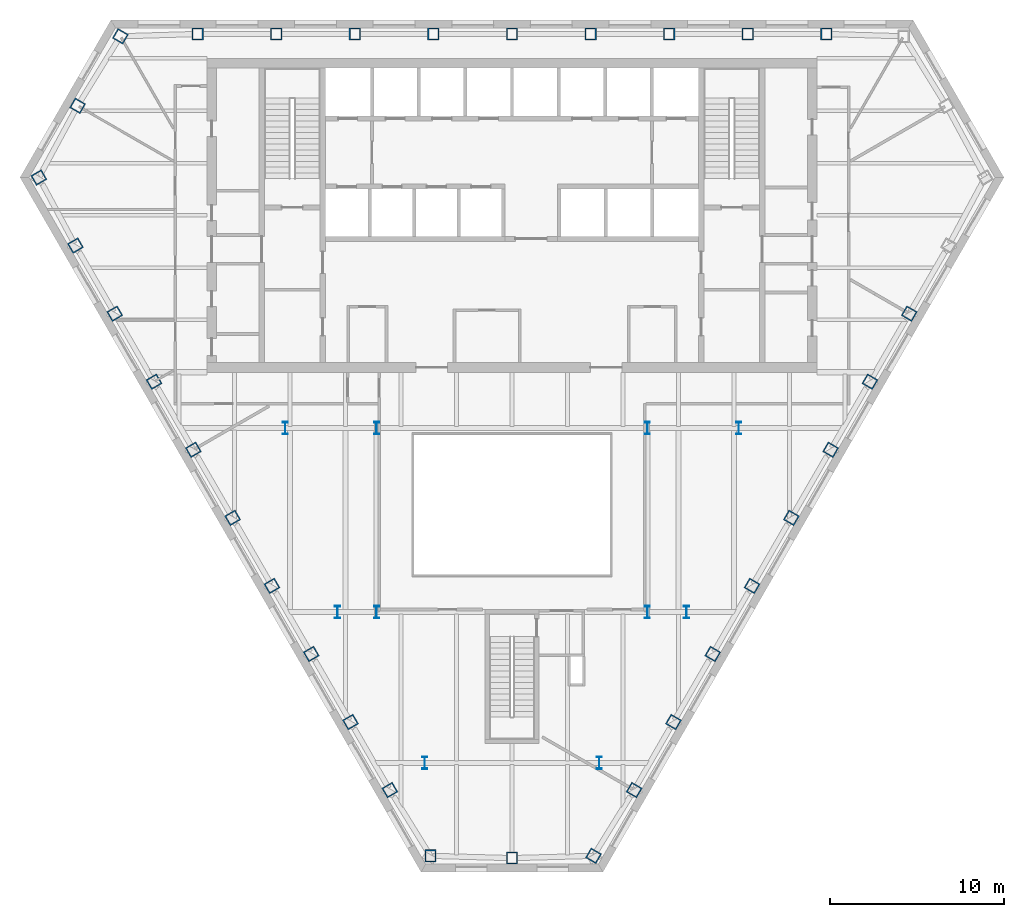
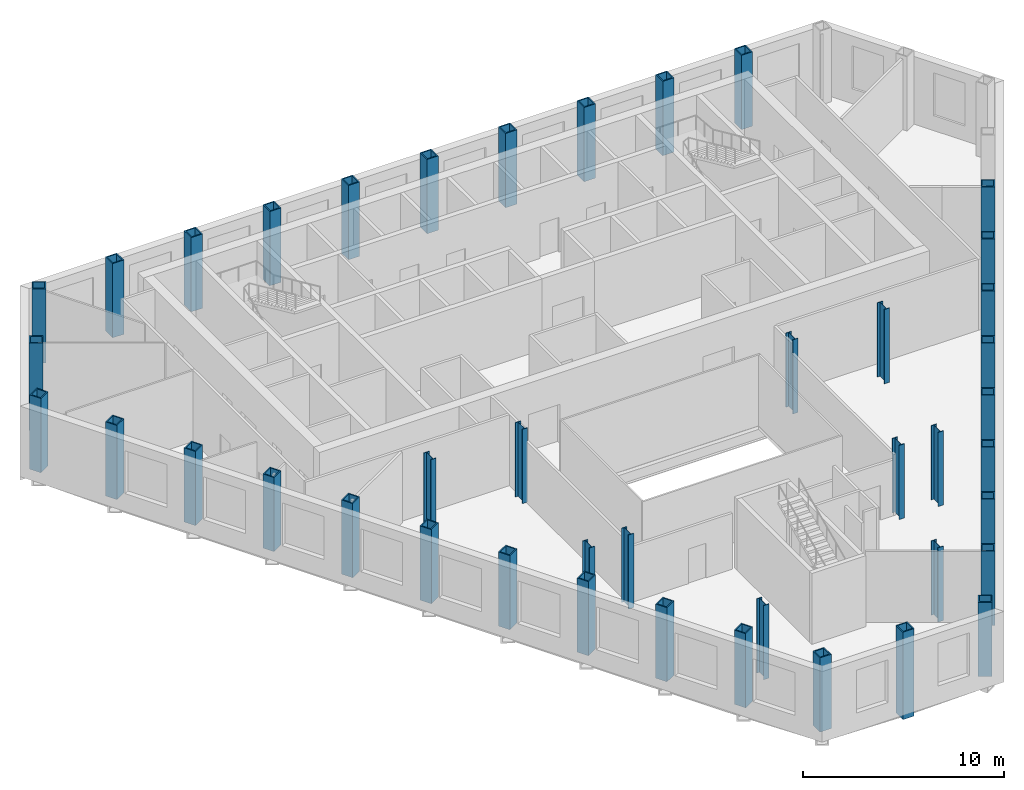
# One storey, part 1 of 11: 42 columns.
"""IFC4 building model written with IfcOpenShell, lengths in metres."""

from ifc_helpers import new_model, si_unit, direction, frame, origin, origin_2d, place, context, subcontext, project, spatial, hollow_rectangle, i_section, extrude, material, material_profile, profile_set, type_object, element, save


model = new_model("IFC4")

# Units and contexts
model_context = context("Model", 3, precision=1e-05, world=origin(), true_north=direction((0.0, 1.0)))
body_context = subcontext(model_context, "Body", "Model", "MODEL_VIEW")
ifc_project = project(units=[si_unit("LENGTHUNIT", "METRE"), si_unit("AREAUNIT", "SQUARE_METRE"), si_unit("VOLUMEUNIT", "CUBIC_METRE"), si_unit("PLANEANGLEUNIT", "RADIAN"), si_unit("MASSUNIT", "GRAM", prefix="KILO")], contexts=[model_context])

# Site, building, storey
site_placement = place(None, origin())
site = spatial("IfcSite", under=ifc_project, at=site_placement, CompositionType="ELEMENT")
building_placement = place(site_placement, origin())
building = spatial("IfcBuilding", under=site, at=building_placement, Name="Njiva Tower", CompositionType="ELEMENT")
storey_placement = place(building_placement, frame((0.0, 0.0, 84.3)))
storey = spatial("IfcBuildingStorey", under=building, at=storey_placement, Name="L17", CompositionType="ELEMENT", Elevation=84.3)

# Columns
ifc_material = material(Name="Steel S355 J2", Category="steel")
ifc_material_profile_1 = material_profile(ifc_material, hollow_rectangle(XDim=0.65, YDim=0.7, WallThickness=0.065, at=origin_2d()), Name="BOX 700x650x65")
ifc_profile_set_1 = profile_set([ifc_material_profile_1], Name="Steel S355 J2")
column_type_1 = type_object("IfcColumnType", Name="C7 Perimeter tube column BOX 700x650x65", PredefinedType="COLUMN", material=ifc_profile_set_1)
for number, where, z_axis, x_axis, name in (
    (1, (18.026, 19.4, 0.0), (0.0, 0.0, 1.0), (-1.0, 0.0, 0.0), "Perimeter tube column S06-C02"),
    (2, (13.52, 19.4, 0.0), (0.0, 0.0, 1.0), (-1.0, 0.0, 0.0), "Perimeter tube column S06-C03"),
    (3, (9.013, 19.4, 0.0), (0.0, 0.0, 1.0), (-1.0, 0.0, 0.0), "Perimeter tube column S06-C04"),
    (4, (4.507, 19.4, 0.0), (0.0, 0.0, 1.0), (-1.0, 0.0, 0.0), "Perimeter tube column S06-C05"),
    (5, (0.0, 19.4, 0.0), (0.0, 0.0, 1.0), (-1.0, 0.0, 0.0), "Perimeter tube column S06-C06"),
    (6, (-4.507, 19.4, 0.0), (0.0, 0.0, 1.0), (-1.0, 0.0, 0.0), "Perimeter tube column S06-C07"),
    (7, (-9.013, 19.4, 0.0), (0.0, 0.0, 1.0), (-1.0, 0.0, 0.0), "Perimeter tube column S06-C08"),
    (8, (-13.52, 19.4, 0.0), (0.0, 0.0, 1.0), (-1.0, 0.0, 0.0), "Perimeter tube column S06-C09"),
    (9, (-18.026, 19.4, 0.0), (0.0, 0.0, 1.0), (-1.0, 0.0, 0.0), "Perimeter tube column S06-C10"),
    (10, (-22.456, 19.267, 0.0), (0.0, 0.0, 1.0), (-0.5, -0.866025403784, 0.0), "Perimeter tube column S06-C11"),
):
    element("IfcColumn", number, at=place(storey_placement, frame(where, z_axis=z_axis, x_axis=x_axis)), inside=storey, type_object=column_type_1, Name=name, PredefinedType="COLUMN", context=body_context, shape_type="SweptSolid", body=[
        extrude(hollow_rectangle(XDim=0.65, YDim=0.7, WallThickness=0.065, at=origin_2d()), origin(), (0.0, 0.0, 1.0), 4.5),
    ])
column_1_placement = place(storey_placement, frame((-24.91, 15.284, -0.8), z_axis=(0.0, 0.0, 1.0), x_axis=(-0.5, -0.866025403784, 0.0)))
element("IfcColumn", 11, at=column_1_placement, inside=storey, type_object=column_type_1, Name="Perimeter tube column S06-C12", PredefinedType="COLUMN", context=body_context, shape_type="SweptSolid", body=[
    extrude(hollow_rectangle(XDim=0.65, YDim=0.7, WallThickness=0.065, at=origin_2d()), origin(), (0.0, 0.0, 1.0), 5.3),
])
for number, where, z_axis, x_axis, name in (
    (12, (-27.133, 11.167, 0.0), (0.0, 0.0, 1.0), (0.5, -0.866025403784, 0.0), "Perimeter tube column S06-C13"),
    (13, (-25.033, 7.265, 0.0), (0.0, 0.0, 1.0), (0.5, -0.866025403784, 0.0), "Perimeter tube column S06-C14"),
    (14, (-22.78, 3.362, 0.0), (0.0, 0.0, 1.0), (0.5, -0.866025403784, 0.0), "Perimeter tube column S06-C15"),
    (15, (-20.526, -0.541, 0.0), (0.0, 0.0, 1.0), (0.5, -0.866025403784, 0.0), "Perimeter tube column S06-C16"),
    (16, (-18.273, -4.444, 0.0), (0.0, 0.0, 1.0), (0.5, -0.866025403784, 0.0), "Perimeter tube column S06-C17"),
    (17, (-16.02, -8.347, 0.0), (0.0, 0.0, 1.0), (0.5, -0.866025403784, 0.0), "Perimeter tube column S06-C18"),
    (18, (-13.766, -12.25, 0.0), (0.0, 0.0, 1.0), (0.5, -0.866025403784, 0.0), "Perimeter tube column S06-C19"),
    (19, (-11.513, -16.153, 0.0), (0.0, 0.0, 1.0), (0.5, -0.866025403784, 0.0), "Perimeter tube column S06-C20"),
    (20, (-9.26, -20.055, 0.0), (0.0, 0.0, 1.0), (0.5, -0.866025403784, 0.0), "Perimeter tube column S06-C21"),
    (21, (-7.006, -23.958, 0.0), (0.0, 0.0, 1.0), (0.5, -0.866025403784, 0.0), "Perimeter tube column S06-C22"),
    (22, (-4.676, -27.728, 0.0), (0.0, 0.0, 1.0), (1.0, 0.0, 0.0), "Perimeter tube column S06-C23"),
):
    element("IfcColumn", number, at=place(storey_placement, frame(where, z_axis=z_axis, x_axis=x_axis)), inside=storey, type_object=column_type_1, Name=name, PredefinedType="COLUMN", context=body_context, shape_type="SweptSolid", body=[
        extrude(hollow_rectangle(XDim=0.65, YDim=0.7, WallThickness=0.065, at=origin_2d()), origin(), (0.0, 0.0, 1.0), 4.5),
    ])
column_2_placement = place(storey_placement, frame((0.0, -27.861, -0.8), z_axis=(0.0, 0.0, 1.0), x_axis=(1.0, 0.0, 0.0)))
element("IfcColumn", 23, at=column_2_placement, inside=storey, type_object=column_type_1, Name="Perimeter tube column S06-C24", PredefinedType="COLUMN", context=body_context, shape_type="SweptSolid", body=[
    extrude(hollow_rectangle(XDim=0.65, YDim=0.7, WallThickness=0.065, at=origin_2d()), origin(), (0.0, 0.0, 1.0), 5.3),
])
for number, where, z_axis, x_axis, name in (
    (24, (4.676, -27.728, 0.0), (0.0, 0.0, 1.0), (0.5, 0.866025403784, 0.0), "Perimeter tube column S06-C25"),
    (25, (7.006, -23.958, 0.0), (0.0, 0.0, 1.0), (0.5, 0.866025403784, 0.0), "Perimeter tube column S06-C26"),
    (26, (9.26, -20.055, 0.0), (0.0, 0.0, 1.0), (0.5, 0.866025403784, 0.0), "Perimeter tube column S06-C27"),
    (27, (11.513, -16.153, 0.0), (0.0, 0.0, 1.0), (0.5, 0.866025403784, 0.0), "Perimeter tube column S06-C28"),
    (28, (13.766, -12.25, 0.0), (0.0, 0.0, 1.0), (0.5, 0.866025403784, 0.0), "Perimeter tube column S06-C29"),
    (29, (16.02, -8.347, 0.0), (0.0, 0.0, 1.0), (0.5, 0.866025403784, 0.0), "Perimeter tube column S06-C30"),
    (30, (18.273, -4.444, 0.0), (0.0, 0.0, 1.0), (0.5, 0.866025403784, 0.0), "Perimeter tube column S06-C31"),
    (31, (20.526, -0.541, 0.0), (0.0, 0.0, 1.0), (0.5, 0.866025403784, 0.0), "Perimeter tube column S06-C32"),
    (32, (22.78, 3.362, 0.0), (0.0, 0.0, 1.0), (0.5, 0.866025403784, 0.0), "Perimeter tube column S06-C33"),
):
    element("IfcColumn", number, at=place(storey_placement, frame(where, z_axis=z_axis, x_axis=x_axis)), inside=storey, type_object=column_type_1, Name=name, PredefinedType="COLUMN", context=body_context, shape_type="SweptSolid", body=[
        extrude(hollow_rectangle(XDim=0.65, YDim=0.7, WallThickness=0.065, at=origin_2d()), origin(), (0.0, 0.0, 1.0), 4.5),
    ])
ifc_material_profile_2 = material_profile(ifc_material, i_section(OverallWidth=0.304, OverallDepth=0.716, WebThickness=0.021, FlangeThickness=0.04, at=origin_2d()), Name="HEM 700")
ifc_profile_set_2 = profile_set([ifc_material_profile_2], Name="Steel S355 J2")
column_type_2 = type_object("IfcColumnType", Name="C8 Interior column HEM 700", PredefinedType="COLUMN", material=ifc_profile_set_2)
for number, where, z_axis, x_axis, name in (
    (33, (7.76, -3.2, 0.0), (0.0, 0.0, 1.0), (1.0, 0.0, 0.0), "Interior column S06-C37"),
    (34, (-7.76, -3.2, 0.0), (0.0, 0.0, 1.0), (1.0, 0.0, 0.0), "Interior column S06-C38"),
    (35, (7.76, -13.75, 0.0), (0.0, 0.0, 1.0), (1.0, 0.0, 0.0), "Interior column S06-C39"),
    (36, (-7.76, -13.75, 0.0), (0.0, 0.0, 1.0), (1.0, 0.0, 0.0), "Interior column S06-C40"),
    (37, (5.0, -22.4, 0.0), (0.0, 0.0, 1.0), (1.0, 0.0, 0.0), "Interior column S06-C41"),
    (38, (-5.0, -22.4, 0.0), (0.0, 0.0, 1.0), (1.0, 0.0, 0.0), "Interior column S06-C42"),
    (39, (13.0, -3.2, 0.0), (0.0, 0.0, 1.0), (1.0, 0.0, 0.0), "Interior column S06-C43"),
    (40, (-13.0, -3.2, 0.0), (0.0, 0.0, 1.0), (1.0, 0.0, 0.0), "Interior column S06-C44"),
    (41, (10.0, -13.75, 0.0), (0.0, 0.0, 1.0), (1.0, 0.0, 0.0), "Interior column S06-C45"),
    (42, (-10.0, -13.75, 0.0), (0.0, 0.0, 1.0), (1.0, 0.0, 0.0), "Interior column S06-C46"),
):
    element("IfcColumn", number, at=place(storey_placement, frame(where, z_axis=z_axis, x_axis=x_axis)), inside=storey, type_object=column_type_2, Name=name, PredefinedType="COLUMN", context=body_context, shape_type="SweptSolid", body=[
        extrude(i_section(OverallWidth=0.304, OverallDepth=0.716, WebThickness=0.021, FlangeThickness=0.04, at=origin_2d()), origin(), (0.0, 0.0, 1.0), 4.5),
    ])

save(model, "model.ifc")
